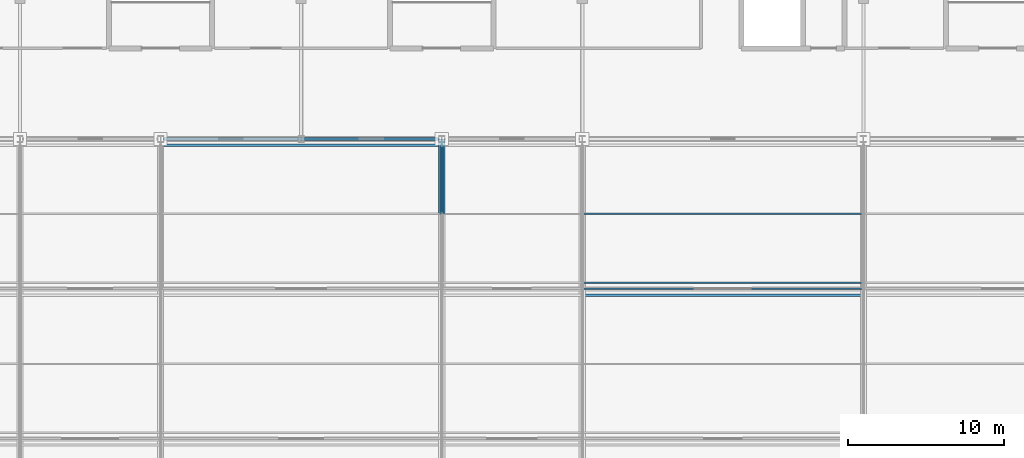
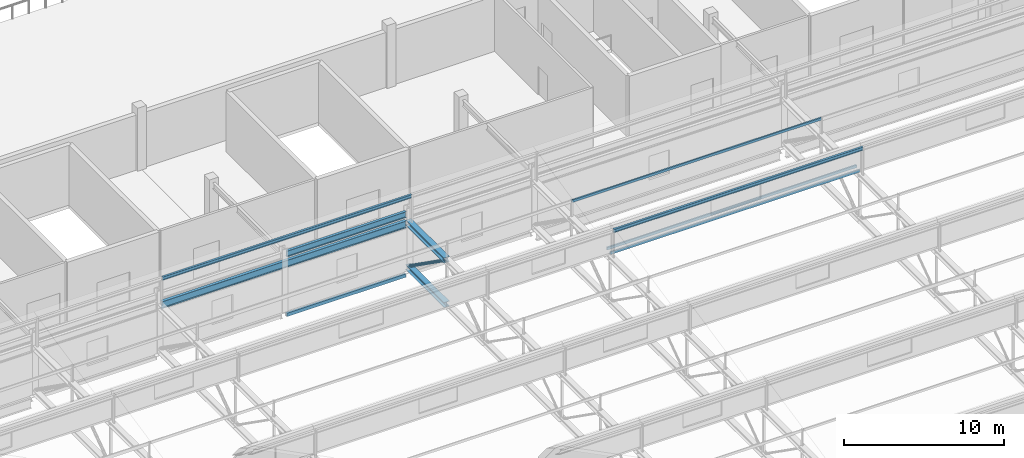
# One storey, part 57 of 136: 6 members, 5 beams.
"""IFC4 building model written with IfcOpenShell, lengths in metres."""

from ifc_helpers import new_model, si_unit, direction, frame, origin, origin_2d, place, context, subcontext, project, spatial, hollow_rectangle, hollow_circle, i_section, extrude, material, material_profile, profile_set, type_object, element, save


model = new_model("IFC4")

# Units and contexts
model_context = context("Model", 3, precision=1e-05, world=origin(), true_north=direction((0.0, 1.0)))
body_context = subcontext(model_context, "Body", "Model", "MODEL_VIEW")
ifc_project = project(units=[si_unit("LENGTHUNIT", "METRE"), si_unit("AREAUNIT", "SQUARE_METRE"), si_unit("VOLUMEUNIT", "CUBIC_METRE"), si_unit("PLANEANGLEUNIT", "RADIAN"), si_unit("MASSUNIT", "GRAM", prefix="KILO")], contexts=[model_context])

# Site, building, storey
site_placement = place(None, origin())
site = spatial("IfcSite", under=ifc_project, at=site_placement, CompositionType="ELEMENT")
building_placement = place(site_placement, origin())
building = spatial("IfcBuilding", under=site, at=building_placement, Name="Kisiwana Market Hall", CompositionType="ELEMENT")
storey_placement = place(building_placement, frame((0.0, 0.0, 16.800048828125)))
storey = spatial("IfcBuildingStorey", under=building, at=storey_placement, Name="L03", CompositionType="ELEMENT", Elevation=16.800048828125)

# Beams
ifc_material_1 = material(Name="Steel S355", Category="steel")
ifc_material_profile_1 = material_profile(ifc_material_1, i_section(OverallWidth=0.19140625, OverallDepth=0.4599609375, WebThickness=0.010009765625, FlangeThickness=0.01611328125, at=origin_2d()), Name="UB 457x191x82")
ifc_profile_set_1 = profile_set([ifc_material_profile_1], Name="Steel S355")
beam_type_1 = type_object("IfcBeamType", Name="BM-GIRD-UB457H", PredefinedType="BEAM", material=ifc_profile_set_1)
beam_1_placement = place(storey_placement, frame((99.201904296875, 84.0, 4.27783203125), z_axis=(1.0, 0.0, 0.0), x_axis=(0.0, 1.0, 0.0)))
element("IfcBeam", 1, at=beam_1_placement, inside=storey, type_object=beam_type_1, Name="Roof girder B-1154", PredefinedType="BEAM", context=body_context, shape_type="SweptSolid", body=[
    extrude(i_section(OverallWidth=0.19140625, OverallDepth=0.4599609375, WebThickness=0.010009765625, FlangeThickness=0.01611328125, at=origin_2d()), origin(), (0.0, 0.0, 1.0), 8.59619140625),
])
ifc_material_2 = material(Name="Steel S355", Category="steel")
ifc_material_profile_2 = material_profile(ifc_material_2, i_section(OverallWidth=0.209228515625, OverallDepth=0.533203125, WebThickness=0.010009765625, FlangeThickness=0.015625, at=origin_2d()), Name="UB 533x210x92")
ifc_profile_set_2 = profile_set([ifc_material_profile_2], Name="Steel S355")
beam_type_2 = type_object("IfcBeamType", Name="BM-GIRD-UB533", PredefinedType="BEAM", material=ifc_profile_set_2)
beam_2_placement = place(storey_placement, frame((90.199951171875, 84.0, 3.54345703125), z_axis=(1.0, 0.0, 0.0), x_axis=(0.0, 1.0, 0.0)))
element("IfcBeam", 2, at=beam_2_placement, inside=storey, type_object=beam_type_2, Name="Truss eaves tie B-1170", PredefinedType="BEAM", context=body_context, shape_type="SweptSolid", body=[
    extrude(i_section(OverallWidth=0.209228515625, OverallDepth=0.533203125, WebThickness=0.010009765625, FlangeThickness=0.015625, at=origin_2d()), origin(), (0.0, 0.0, 1.0), 17.60009765625),
])
ifc_material_3 = material(Name="Steel S355", Category="steel")
ifc_material_profile_3 = material_profile(ifc_material_3, hollow_rectangle(XDim=0.14990234375, YDim=0.25, WallThickness=0.010009765625, at=origin_2d()), Name="RHS 250x150x10.0")
ifc_profile_set_3 = profile_set([ifc_material_profile_3], Name="Steel S355")
beam_type_3 = type_object("IfcBeamType", Name="BM-SPAN-RHS250", PredefinedType="SPANDREL", material=ifc_profile_set_3)
beam_3_placement = place(storey_placement, frame((99.201904296875, 84.0, -0.375), z_axis=(1.0, 0.0, 0.0), x_axis=(0.0, 1.0, 0.0)))
element("IfcBeam", 3, at=beam_3_placement, inside=storey, type_object=beam_type_3, Name="Floor beam B-1033", PredefinedType="SPANDREL", context=body_context, shape_type="SweptSolid", body=[
    extrude(hollow_rectangle(XDim=0.14990234375, YDim=0.25, WallThickness=0.010009765625, at=origin_2d()), origin(), (0.0, 0.0, 1.0), 8.59619140625),
])
ifc_material_4 = material(Name="Steel S355", Category="steel")
ifc_material_profile_4 = material_profile(ifc_material_4, i_section(OverallWidth=0.394775390625, OverallDepth=0.381103515625, WebThickness=0.018310546875, FlangeThickness=0.0302734375, at=origin_2d()), Name="UC 356x406x235")
ifc_profile_set_4 = profile_set([ifc_material_profile_4], Name="Steel S355")
beam_type_4 = type_object("IfcBeamType", Name="BM-TRUSS-BOT", PredefinedType="USERDEFINED", material=ifc_profile_set_4)
beam_4_placement = place(storey_placement, frame((108.0, 79.199951171875, 0.22998046875), z_axis=(0.0, 1.0, 0.0), x_axis=(-1.0, 0.0, 0.0)))
element("IfcBeam", 4, at=beam_4_placement, inside=storey, type_object=beam_type_4, Name="TR-05 BC panel 10 B-1258", ObjectType="ROOF TRUSS", PredefinedType="USERDEFINED", context=body_context, shape_type="SweptSolid", body=[
    extrude(i_section(OverallWidth=0.394775390625, OverallDepth=0.381103515625, WebThickness=0.018310546875, FlangeThickness=0.0302734375, at=origin_2d()), origin(), (0.0, 0.0, 1.0), 4.800048828125),
])
ifc_material_5 = material(Name="Steel S355", Category="steel")
ifc_material_profile_5 = material_profile(ifc_material_5, i_section(OverallWidth=0.39892578125, OverallDepth=0.3935546875, WebThickness=0.022705078125, FlangeThickness=0.03662109375, at=origin_2d()), Name="UC 356x406x287")
ifc_profile_set_5 = profile_set([ifc_material_profile_5], Name="Steel S355")
beam_type_5 = type_object("IfcBeamType", Name="BM-TRUSS-TOP", PredefinedType="USERDEFINED", material=ifc_profile_set_5)
beam_5_placement = place(storey_placement, frame((108.0, 79.199951171875, 3.619873046875), z_axis=(0.0, 1.0, 0.0), x_axis=(-1.0, 0.0, 0.0)))
element("IfcBeam", 5, at=beam_5_placement, inside=storey, type_object=beam_type_5, Name="TR-05 TC panel 10 B-1268", ObjectType="ROOF TRUSS", PredefinedType="USERDEFINED", context=body_context, shape_type="SweptSolid", body=[
    extrude(i_section(OverallWidth=0.39892578125, OverallDepth=0.3935546875, WebThickness=0.022705078125, FlangeThickness=0.03662109375, at=origin_2d()), origin(), (0.0, 0.0, 1.0), 4.800048828125),
])

# Members
ifc_material_6 = material(Name="Steel S355", Category="steel")
ifc_material_profile_6 = material_profile(ifc_material_6, hollow_rectangle(XDim=0.10009765625, YDim=0.179931640625, WallThickness=0.008056640625, at=origin_2d()), Name="RHS 180x100x8")
ifc_profile_set_6 = profile_set([ifc_material_profile_6], Name="Steel S355")
member_type_1 = type_object("IfcMemberType", Name="MB-PURL-RHS180", PredefinedType="PURLIN", material=ifc_profile_set_6)
member_1_placement = place(storey_placement, frame((117.0, 79.199951171875, 4.9462890625), z_axis=(1.0, 0.0, 0.0), x_axis=(0.0, 1.0, 0.0)))
element("IfcMember", 6, at=member_1_placement, inside=storey, type_object=member_type_1, Name="Sawtooth mid-slope roof purlin 72 M-0124", PredefinedType="PURLIN", context=body_context, shape_type="SweptSolid", body=[
    extrude(hollow_rectangle(XDim=0.10009765625, YDim=0.179931640625, WallThickness=0.008056640625, at=origin_2d()), origin(), (0.0, 0.0, 1.0), 18.0),
])
ifc_material_7 = material(Name="Steel S355", Category="steel")
ifc_material_profile_7 = material_profile(ifc_material_7, hollow_rectangle(XDim=0.10009765625, YDim=0.199951171875, WallThickness=0.008056640625, at=origin_2d()), Name="RHS 200x100x8.0")
ifc_profile_set_7 = profile_set([ifc_material_profile_7], Name="Steel S355")
member_type_2 = type_object("IfcMemberType", Name="MB-ROOF-PURLIN1", PredefinedType="PURLIN", material=ifc_profile_set_7)
for number, where, z_axis, x_axis, name in (
    (7, (117.0, 74.39990234375, 3.90087890625), (1.0, 0.0, 0.0), (0.0, 1.0, 0.0), "Sawtooth roof purlin 329 M-0206"),
    (8, (117.0, 74.800048828125, 4.0009765625), (1.0, 0.0, 0.0), (0.0, 1.0, 0.0), "Sawtooth roof purlin 359 M-0220"),
):
    element("IfcMember", number, at=place(storey_placement, frame(where, z_axis=z_axis, x_axis=x_axis)), inside=storey, type_object=member_type_2, Name=name, PredefinedType="PURLIN", context=body_context, shape_type="SweptSolid", body=[
        extrude(hollow_rectangle(XDim=0.10009765625, YDim=0.199951171875, WallThickness=0.008056640625, at=origin_2d()), origin(), (0.0, 0.0, 1.0), 18.0),
    ])
ifc_material_8 = material(Name="Steel S355", Category="steel")
ifc_material_profile_8 = material_profile(ifc_material_8, i_section(OverallWidth=0.146484375, OverallDepth=0.256103515625, WebThickness=0.00634765625, FlangeThickness=0.010986328125, at=origin_2d()), Name="UB 254x146x37")
ifc_profile_set_8 = profile_set([ifc_material_profile_8], Name="Steel S355")
member_type_3 = type_object("IfcMemberType", Name="MB-ROOF-PURLIN2", PredefinedType="PURLIN", material=ifc_profile_set_8)
for number, where, z_axis, x_axis, name in (
    (9, (117.0, 74.0, 5.843505859375), (1.0, 0.0, 0.0), (0.0, 1.0, 0.0), "Sawtooth roof purlin 328 M-0205"),
    (10, (90.0, 83.60009765625, 5.843505859375), (1.0, 0.0, 0.0), (0.0, 1.0, 0.0), "Sawtooth roof purlin 356 M-0217"),
):
    element("IfcMember", number, at=place(storey_placement, frame(where, z_axis=z_axis, x_axis=x_axis)), inside=storey, type_object=member_type_3, Name=name, PredefinedType="PURLIN", context=body_context, shape_type="SweptSolid", body=[
        extrude(i_section(OverallWidth=0.146484375, OverallDepth=0.256103515625, WebThickness=0.00634765625, FlangeThickness=0.010986328125, at=origin_2d()), origin(), (0.0, 0.0, 1.0), 18.0),
    ])
ifc_material_9 = material(Name="Steel S355", Category="steel")
ifc_material_profile_9 = material_profile(ifc_material_9, hollow_circle(Radius=0.109619140625, WallThickness=0.012451171875, at=origin_2d()), Name="CHS 219.1x12.5")
ifc_profile_set_9 = profile_set([ifc_material_profile_9], Name="Steel S355")
member_type_4 = type_object("IfcMemberType", Name="MB-TR-DIAG219", PredefinedType="BRACE", material=ifc_profile_set_9)
member_2_placement = place(storey_placement, frame((108.0, 79.199951171875, 3.619873046875), z_axis=(0.0, 0.816837735077, -0.576867501732), x_axis=(-1.0, 0.0, 0.0)))
element("IfcMember", 11, at=member_2_placement, inside=storey, type_object=member_type_4, Name="TR-05 diagonal 10 M-0412", PredefinedType="BRACE", context=body_context, shape_type="SweptSolid", body=[
    extrude(hollow_circle(Radius=0.109619140625, WallThickness=0.012451171875, at=origin_2d()), origin(), (0.0, 0.0, 1.0), 5.87646484375),
])

save(model, "model.ifc")
